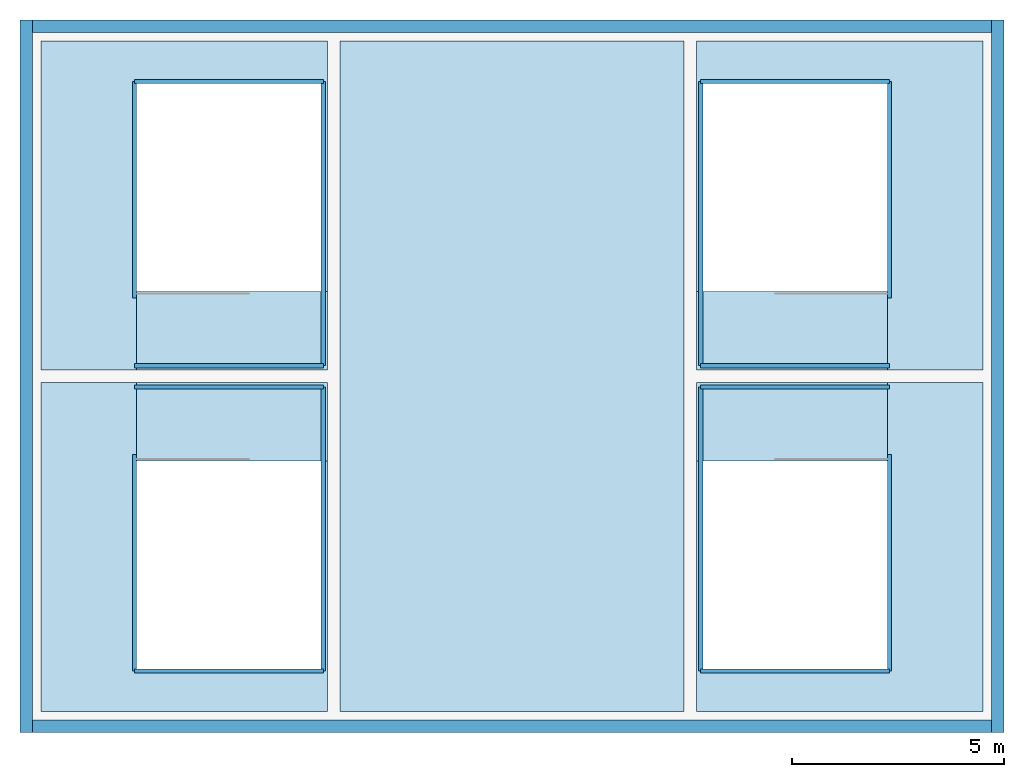
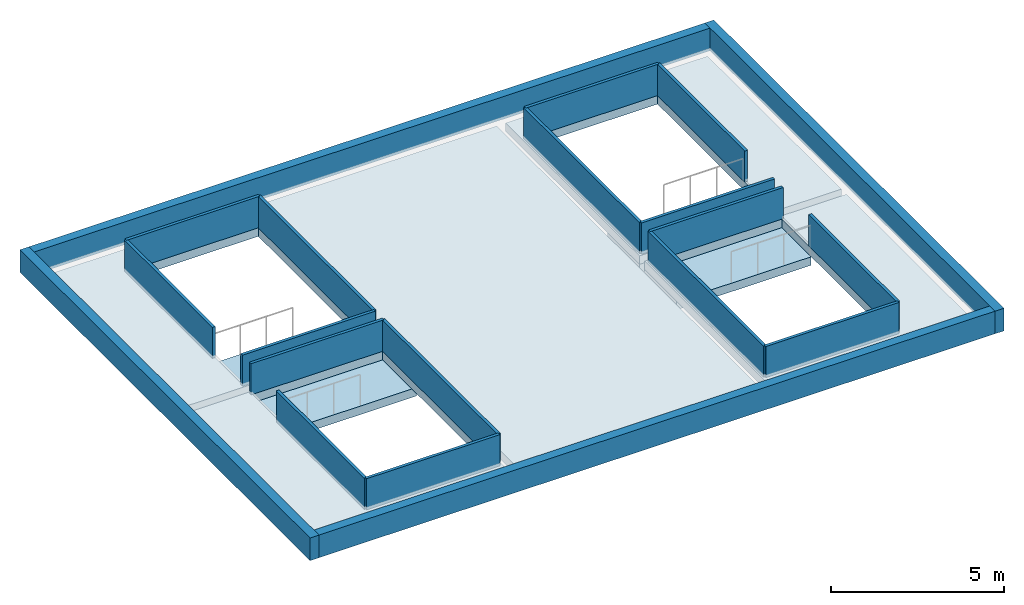
# One storey, part 1 of 2: 20 walls, 9 slabs.
"""IFC4 building model written with IfcOpenShell, lengths in metres."""

import ifcopenshell
import ifcopenshell.guid

model = None  # the IFC model being written
_history = None  # IfcOwnerHistory: only IFC2X3 demands one
_inside = {}  # id of a spatial element -> (the spatial element, [elements in it])
_under = {}  # id of a project, library or spatial element -> (it, [spatial elements below it])
_declared = {}  # id of a project -> (the project, [libraries it declares])
_typed = {}  # id of a type object -> (the type object, [elements of that type])
_made_of = {}  # id of a material, layer set ... -> (it, [elements and type objects made of it])


def new_model(schema):
    """Start an empty IFC model of exactly this schema.

    Asked for "IFC4X3", IfcOpenShell would pick the latest addendum, in which some entities
    have other attributes; the version numbers below select the first issue.
    IFC2X3 requires an IfcOwnerHistory on every rooted entity: one is made here for all.
    """
    global model, _history
    if schema == "IFC4X3":
        model = ifcopenshell.file(schema_version=(4, 3, 0, 0))
    else:
        model = ifcopenshell.file(schema=schema)
    _inside.clear()
    _under.clear()
    _declared.clear()
    _typed.clear()
    _made_of.clear()
    _history = None
    if model.schema == "IFC2X3":
        org = make("IfcOrganization", Name="unknown")
        user = make(
            "IfcPersonAndOrganization",
            ThePerson=make("IfcPerson", FamilyName="unknown"),
            TheOrganization=org,
        )
        app = make(
            "IfcApplication",
            ApplicationDeveloper=org,
            Version="unknown",
            ApplicationFullName="unknown",
            ApplicationIdentifier="unknown",
        )
        _history = make(
            "IfcOwnerHistory",
            OwningUser=user,
            OwningApplication=app,
            ChangeAction="ADDED",
            CreationDate=0,
        )
    return model


def make(cls, **values):
    """One entity of the class cls with the attributes given. An attribute that is None is left unset."""
    return model.create_entity(
        cls, **{name: value for name, value in values.items() if value is not None}
    )


def rooted(cls, **values):
    """An entity with a GlobalId (a new one), such as an element, a storey or a relation."""
    return make(cls, GlobalId=ifcopenshell.guid.new(), OwnerHistory=_history, **values)


def si_unit(unit_type, name, prefix=None):
    """IfcSIUnit, for example si_unit("LENGTHUNIT", "METRE", prefix="MILLI")."""
    return make("IfcSIUnit", UnitType=unit_type, Prefix=prefix, Name=name)


def assignment(units):
    """IfcUnitAssignment: the units of a project."""
    return None if units is None else make("IfcUnitAssignment", Units=units)


def point(xyz):
    """IfcCartesianPoint."""
    return None if xyz is None else make("IfcCartesianPoint", Coordinates=xyz)


def direction(xyz):
    """IfcDirection."""
    return None if xyz is None else make("IfcDirection", DirectionRatios=xyz)


def frame(location, z_axis=None, x_axis=None):
    """IfcAxis2Placement3D, a coordinate frame: its origin and axes. An axis left out is left unset."""
    return make(
        "IfcAxis2Placement3D",
        Location=point(location),
        Axis=direction(z_axis),
        RefDirection=direction(x_axis),
    )


def frame_2d(location, x_axis=None):
    """IfcAxis2Placement2D, a coordinate frame in the plane: its origin and x axis."""
    return make(
        "IfcAxis2Placement2D", Location=point(location), RefDirection=direction(x_axis)
    )


def origin():
    """The frame at (0, 0, 0) with its axes left unset."""
    return frame((0.0, 0.0, 0.0))


def place(relative_to, where):
    """IfcLocalPlacement: puts the frame where relative to a parent placement (None: the world)."""
    return make(
        "IfcLocalPlacement", PlacementRelTo=relative_to, RelativePlacement=where
    )


def context(
    kind, dimensions, precision=None, world=None, true_north=None, identifier=None
):
    """IfcGeometricRepresentationContext, for example the 3D "Model" context."""
    return make(
        "IfcGeometricRepresentationContext",
        ContextIdentifier=identifier,
        ContextType=kind,
        CoordinateSpaceDimension=dimensions,
        Precision=precision,
        WorldCoordinateSystem=world,
        TrueNorth=true_north,
    )


def subcontext(parent, identifier, kind, view, scale=None):
    """IfcGeometricRepresentationSubContext, for example "Body" below "Model"."""
    return make(
        "IfcGeometricRepresentationSubContext",
        ContextIdentifier=identifier,
        ContextType=kind,
        ParentContext=parent,
        TargetScale=scale,
        TargetView=view,
    )


def project(units=None, contexts=None):
    """IfcProject with its units and contexts."""
    return rooted(
        "IfcProject",
        Name="project",
        RepresentationContexts=contexts,
        UnitsInContext=assignment(units),
    )


def spatial(cls, under=None, at=None, **own):
    """A site, building, storey or space (cls), placed at a placement, below another one or the project."""
    s = rooted(cls, ObjectPlacement=at, **own)
    if under is not None:
        _under.setdefault(under.id(), (under, []))[1].append(s)
    return s


def polyline(points):
    """IfcPolyline through the points."""
    return make("IfcPolyline", Points=[point(p) for p in points])


def profile(cls, at=None, kind="AREA", **sizes):
    """A parametric profile (cls). Its sizes go by their IFC names, for example OverallWidth=200.0."""
    return make(cls, ProfileType=kind, Position=at, **sizes)


def rectangle(**sizes):
    """IfcRectangleProfileDef."""
    return profile("IfcRectangleProfileDef", **sizes)


def outline(outer, holes=None, kind="AREA"):
    """IfcArbitraryClosedProfileDef: a profile drawn as a closed curve; with holes, ...WithVoids."""
    if holes is None:
        return make("IfcArbitraryClosedProfileDef", ProfileType=kind, OuterCurve=outer)
    return make(
        "IfcArbitraryProfileDefWithVoids",
        ProfileType=kind,
        OuterCurve=outer,
        InnerCurves=holes,
    )


def extrude(swept, where, along, depth):
    """IfcExtrudedAreaSolid: the profile swept, set in the frame where, extruded along a direction by depth."""
    return make(
        "IfcExtrudedAreaSolid",
        SweptArea=swept,
        Position=where,
        ExtrudedDirection=direction(along),
        Depth=depth,
    )


def shape(context_of_items, identifier, shape_type, items):
    """IfcShapeRepresentation: the items that make up one representation, for example the "Body"."""
    return make(
        "IfcShapeRepresentation",
        ContextOfItems=context_of_items,
        RepresentationIdentifier=identifier,
        RepresentationType=shape_type,
        Items=items,
    )


def material(Name=None, Category=None):
    """IfcMaterial."""
    return make("IfcMaterial", Name=Name, Category=Category)


def layer(
    of_material, thickness, ventilated=None, Name=None, Category=None, Priority=None
):
    """IfcMaterialLayer: one layer of a wall or slab, of a material (None: an air gap)."""
    return make(
        "IfcMaterialLayer",
        Material=of_material,
        LayerThickness=thickness,
        IsVentilated=ventilated,
        Name=Name,
        Category=Category,
        Priority=Priority,
    )


def layer_set(layers, Name=None):
    """IfcMaterialLayerSet."""
    return make("IfcMaterialLayerSet", MaterialLayers=layers, LayerSetName=Name)


def made_of(thing, what):
    """Note that an element or type object is made of a material, layer set ...; save() writes the relation."""
    if what is not None:
        _made_of.setdefault(what.id(), (what, []))[1].append(thing)
    return thing


def type_object(cls, material=None, **own):
    """A type object (cls), such as IfcWallType, which elements share."""
    return made_of(rooted(cls, **own), material)


def element(
    cls,
    number,
    at=None,
    inside=None,
    cuts=None,
    type_object=None,
    material=None,
    context=None,
    identifier="Body",
    shape_type=None,
    held_by="IfcProductDefinitionShape",
    body=None,
    shapes=None,
    **own,
):
    """One element of the class cls, such as IfcWall. Its Tag is "e" and its number.

    at: its placement. inside: the storey or other place that contains it. cuts: it is an
    opening in that element (IfcRelVoidsElement). A single representation is given by context,
    identifier, shape_type and body (its items); several are given by shapes. held_by: the class
    of the entity that holds the representations. save() writes the other relations.
    """
    e = rooted(cls, Tag="e%d" % number, ObjectPlacement=at, **own)
    if body is not None:
        shapes = [shape(context, identifier, shape_type, body)]
    if shapes is not None:
        e.Representation = make(held_by, Representations=shapes)
    if inside is not None:
        _inside.setdefault(inside.id(), (inside, []))[1].append(e)
    if cuts is not None:
        rooted(
            "IfcRelVoidsElement", RelatingBuildingElement=cuts, RelatedOpeningElement=e
        )
    if type_object is not None:
        _typed.setdefault(type_object.id(), (type_object, []))[1].append(e)
    return made_of(e, material)


def aggregate(whole, parts):
    """IfcRelAggregates: a whole, such as a stair, and the parts it consists of."""
    return rooted("IfcRelAggregates", RelatingObject=whole, RelatedObjects=parts)


def save(model, path):
    """Write the relations noted so far, then the file.

    IfcRelAggregates (storeys below a building ...), IfcRelContainedInSpatialStructure (elements
    in a storey), IfcRelDefinesByType, IfcRelAssociatesMaterial and IfcRelDeclares: one each for
    every whole, place, type object, material and project.
    """
    for whole, parts in _under.values():
        aggregate(whole, parts)
    for where, things in _inside.values():
        rooted(
            "IfcRelContainedInSpatialStructure",
            RelatedElements=things,
            RelatingStructure=where,
        )
    for kind, things in _typed.values():
        rooted("IfcRelDefinesByType", RelatedObjects=things, RelatingType=kind)
    for what, things in _made_of.values():
        rooted("IfcRelAssociatesMaterial", RelatedObjects=things, RelatingMaterial=what)
    for by, libraries in _declared.values():
        rooted("IfcRelDeclares", RelatingContext=by, RelatedDefinitions=libraries)
    model.write(path)


model = new_model("IFC4")

# Units and contexts
model_context = context("Model", 3, precision=1e-05, world=origin(), true_north=direction((0.0, 1.0)))
body_context = subcontext(model_context, "Body", "Model", "MODEL_VIEW")
ifc_project = project(units=[si_unit("LENGTHUNIT", "METRE"), si_unit("AREAUNIT", "SQUARE_METRE"), si_unit("VOLUMEUNIT", "CUBIC_METRE"), si_unit("PLANEANGLEUNIT", "RADIAN"), si_unit("MASSUNIT", "GRAM", prefix="KILO")], contexts=[model_context])

# Site, building, storey
site_placement = place(None, origin())
site = spatial("IfcSite", under=ifc_project, at=site_placement, CompositionType="ELEMENT")
building_placement = place(site_placement, origin())
building = spatial("IfcBuilding", under=site, at=building_placement, Name="Marenta Gate Hotel Tower", CompositionType="ELEMENT")
storey_placement = place(building_placement, frame((0.0, 0.0, 309.39990234375)))
storey = spatial("IfcBuildingStorey", under=building, at=storey_placement, Name="ROOF", CompositionType="ELEMENT", Elevation=309.39990234375)

# Slabs
ifc_material_1 = material(Name="Concrete C40", Category="concrete")
ifc_layer_1 = layer(ifc_material_1, 0.300048828125)
ifc_layer_set_1 = layer_set([ifc_layer_1], Name="Concrete C40")
slab_type_1 = type_object("IfcSlabType", Name="Core roof slab 300", PredefinedType="ROOF", material=ifc_layer_set_1)
slab_1_placement = place(storey_placement, origin())
element("IfcSlab", 1, at=slab_1_placement, inside=storey, type_object=slab_type_1, Name="L67-CR-1", PredefinedType="ROOF", context=body_context, shape_type="SweptSolid", body=[
    extrude(outline(polyline([(4.35009765625, 0.5), (4.35009765625, 8.25), (11.10009765625, 8.25), (11.10009765625, 0.5), (4.35009765625, 0.5)]), holes=[polyline([(8.85009765625, 8.10009765625), (4.5, 8.10009765625), (4.5, 1.5), (8.85009765625, 1.5), (8.85009765625, 8.10009765625)])]), origin(), (0.0, 0.0, 1.0), 0.300048828125),
])
slab_2_placement = place(storey_placement, origin())
element("IfcSlab", 2, at=slab_2_placement, inside=storey, type_object=slab_type_1, Name="L67-CR-2", PredefinedType="ROOF", context=body_context, shape_type="SweptSolid", body=[
    extrude(outline(polyline([(4.35009765625, 8.550048828125), (4.35009765625, 16.300048828125), (11.10009765625, 16.300048828125), (11.10009765625, 8.550048828125), (4.35009765625, 8.550048828125)]), holes=[polyline([(8.85009765625, 15.300048828125), (4.5, 15.300048828125), (4.5, 8.699951171875), (8.85009765625, 8.699951171875), (8.85009765625, 15.300048828125)])]), origin(), (0.0, 0.0, 1.0), 0.300048828125),
])
slab_3_placement = place(storey_placement, origin())
element("IfcSlab", 3, at=slab_3_placement, inside=storey, type_object=slab_type_1, Name="L67-CR-3", PredefinedType="ROOF", context=body_context, shape_type="SweptSolid", body=[
    extrude(outline(polyline([(4.050048828125, 16.300048828125), (4.050048828125, 0.5), (-4.050048828125, 0.5), (-4.050048828125, 16.300048828125), (4.050048828125, 16.300048828125)])), origin(), (0.0, 0.0, 1.0), 0.300048828125),
])
slab_4_placement = place(storey_placement, origin())
element("IfcSlab", 4, at=slab_4_placement, inside=storey, type_object=slab_type_1, Name="L67-CR-4", PredefinedType="ROOF", context=body_context, shape_type="SweptSolid", body=[
    extrude(outline(polyline([(-4.35009765625, 8.550048828125), (-11.10009765625, 8.550048828125), (-11.10009765625, 16.300048828125), (-4.35009765625, 16.300048828125), (-4.35009765625, 8.550048828125)]), holes=[polyline([(-4.5, 15.300048828125), (-8.85009765625, 15.300048828125), (-8.85009765625, 8.699951171875), (-4.5, 8.699951171875), (-4.5, 15.300048828125)])]), origin(), (0.0, 0.0, 1.0), 0.300048828125),
])
slab_5_placement = place(storey_placement, origin())
element("IfcSlab", 5, at=slab_5_placement, inside=storey, type_object=slab_type_1, Name="L67-CR-5", PredefinedType="ROOF", context=body_context, shape_type="SweptSolid", body=[
    extrude(outline(polyline([(-4.35009765625, 8.25), (-4.35009765625, 0.5), (-11.10009765625, 0.5), (-11.10009765625, 8.25), (-4.35009765625, 8.25)]), holes=[polyline([(-4.5, 8.10009765625), (-8.85009765625, 8.10009765625), (-8.85009765625, 1.5), (-4.5, 1.5), (-4.5, 8.10009765625)])]), origin(), (0.0, 0.0, 1.0), 0.300048828125),
])
ifc_material_2 = material(Name="Concrete C40", Category="concrete")
ifc_layer_2 = layer(ifc_material_2, 0.300048828125)
ifc_layer_set_2 = layer_set([ifc_layer_2], Name="Concrete C40")
slab_type_2 = type_object("IfcSlabType", Name="Stair landing slab 300", PredefinedType="LANDING", material=ifc_layer_set_2)
slab_6_placement = place(storey_placement, frame((0.0, 0.0, -0.2998046875)))
element("IfcSlab", 6, at=slab_6_placement, inside=storey, type_object=slab_type_2, Name="ROOF-RL-ST1", PredefinedType="LANDING", context=body_context, shape_type="SweptSolid", body=[
    extrude(outline(polyline([(-4.35009765625, 6.39990234375), (-8.85009765625, 6.39990234375), (-8.85009765625, 8.10009765625), (-8.85009765625, 8.25), (-4.35009765625, 8.25), (-4.35009765625, 6.39990234375)])), origin(), (0.0, 0.0, 1.0), 0.2998046875),
])
slab_7_placement = place(storey_placement, frame((0.0, 0.0, -0.2998046875)))
element("IfcSlab", 7, at=slab_7_placement, inside=storey, type_object=slab_type_2, Name="ROOF-RL-ST2", PredefinedType="LANDING", context=body_context, shape_type="SweptSolid", body=[
    extrude(outline(polyline([(-4.35009765625, 8.550048828125), (-8.85009765625, 8.550048828125), (-8.85009765625, 8.699951171875), (-8.85009765625, 10.39990234375), (-4.35009765625, 10.39990234375), (-4.35009765625, 8.550048828125)])), origin(), (0.0, 0.0, 1.0), 0.2998046875),
])
slab_8_placement = place(storey_placement, frame((0.0, 0.0, -0.2998046875)))
element("IfcSlab", 8, at=slab_8_placement, inside=storey, type_object=slab_type_2, Name="ROOF-RL-ST3", PredefinedType="LANDING", context=body_context, shape_type="SweptSolid", body=[
    extrude(outline(polyline([(4.35009765625, 6.39990234375), (4.35009765625, 8.25), (8.85009765625, 8.25), (8.85009765625, 8.10009765625), (8.85009765625, 6.39990234375), (4.35009765625, 6.39990234375)])), origin(), (0.0, 0.0, 1.0), 0.2998046875),
])
slab_9_placement = place(storey_placement, frame((0.0, 0.0, -0.2998046875)))
element("IfcSlab", 9, at=slab_9_placement, inside=storey, type_object=slab_type_2, Name="ROOF-RL-ST4", PredefinedType="LANDING", context=body_context, shape_type="SweptSolid", body=[
    extrude(outline(polyline([(4.35009765625, 8.550048828125), (4.35009765625, 10.39990234375), (8.85009765625, 10.39990234375), (8.85009765625, 8.699951171875), (8.85009765625, 8.550048828125), (4.35009765625, 8.550048828125)])), origin(), (0.0, 0.0, 1.0), 0.2998046875),
])

# Walls
ifc_material_3 = material(Name="Concrete C40 board-marked", Category="concrete")
ifc_layer_3 = layer(ifc_material_3, 0.300048828125)
ifc_layer_set_3 = layer_set([ifc_layer_3], Name="Concrete C40 board-marked")
wall_type_1 = type_object("IfcWallType", Name="Parapet 300 mm board-marked concrete", PredefinedType="PARAPET", material=ifc_layer_set_3)
for number, where, z_axis, x_axis, name in (
    (10, (11.449951171875, 0.0, 0.300048828125), (0.0, 0.0, 1.0), (0.0, 1.0, 0.0), "L67-CRP-E"),
    (11, (-11.449951171875, 0.0, 0.300048828125), (0.0, 0.0, 1.0), (0.0, 1.0, 0.0), "L67-CRP-W"),
):
    element("IfcWall", number, at=place(storey_placement, frame(where, z_axis=z_axis, x_axis=x_axis)), inside=storey, type_object=wall_type_1, Name=name, PredefinedType="PARAPET", context=body_context, shape_type="SweptSolid", body=[
        extrude(rectangle(XDim=16.800048828125, YDim=0.300048828125, at=frame_2d((8.39990234375, 0.0))), origin(), (0.0, 0.0, 1.0), 0.800048828125),
    ])
for number, where, z_axis, x_axis, name in (
    (12, (-11.300048828125, 0.14990234375, 0.300048828125), (0.0, 0.0, 1.0), (1.0, 0.0, 0.0), "L67-CRP-S"),
    (13, (-11.300048828125, 16.64990234375, 0.300048828125), (0.0, 0.0, 1.0), (1.0, 0.0, 0.0), "L67-CRP-N"),
):
    element("IfcWall", number, at=place(storey_placement, frame(where, z_axis=z_axis, x_axis=x_axis)), inside=storey, type_object=wall_type_1, Name=name, PredefinedType="PARAPET", context=body_context, shape_type="SweptSolid", body=[
        extrude(rectangle(XDim=22.60009765625, YDim=0.300048828125, at=frame_2d((11.300048828125, 0.0))), origin(), (0.0, 0.0, 1.0), 0.800048828125),
    ])
ifc_material_4 = material(Name="Concrete C40 board-marked", Category="concrete")
ifc_layer_4 = layer(ifc_material_4, 0.10009765625)
ifc_layer_set_4 = layer_set([ifc_layer_4], Name="Concrete C40 board-marked")
wall_type_2 = type_object("IfcWallType", Name="Stair head upstand 100 mm concrete", PredefinedType="PARAPET", material=ifc_layer_set_4)
wall_1_placement = place(storey_placement, frame((-8.89990234375, 1.449951171875, 0.300048828125), z_axis=(0.0, 0.0, 1.0), x_axis=(1.0, 0.0, 0.0)))
element("IfcWall", 14, at=wall_1_placement, inside=storey, type_object=wall_type_2, Name="ROOF-RU-ST1-1", PredefinedType="PARAPET", context=body_context, shape_type="SweptSolid", body=[
    extrude(rectangle(XDim=4.449951171875, YDim=0.10009765625, at=frame_2d((2.22509765625, 0.0))), origin(), (0.0, 0.0, 1.0), 1.10009765625),
])
wall_2_placement = place(storey_placement, frame((-4.449951171875, 1.449951171875, 0.300048828125), z_axis=(0.0, 0.0, 1.0), x_axis=(0.0, 1.0, 0.0)))
element("IfcWall", 15, at=wall_2_placement, inside=storey, type_object=wall_type_2, Name="ROOF-RU-ST1-2", PredefinedType="PARAPET", context=body_context, shape_type="SweptSolid", body=[
    extrude(rectangle(XDim=6.699951171875, YDim=0.10009765625, at=frame_2d((3.35009765625, 0.0))), origin(), (0.0, 0.0, 1.0), 1.10009765625),
])
wall_3_placement = place(storey_placement, frame((-4.449951171875, 8.14990234375, 0.300048828125), z_axis=(0.0, 0.0, 1.0), x_axis=(-1.0, 0.0, 0.0)))
element("IfcWall", 16, at=wall_3_placement, inside=storey, type_object=wall_type_2, Name="ROOF-RU-ST1-3", PredefinedType="PARAPET", context=body_context, shape_type="SweptSolid", body=[
    extrude(rectangle(XDim=4.449951171875, YDim=0.10009765625, at=frame_2d((2.22509765625, 0.0))), origin(), (0.0, 0.0, 1.0), 1.10009765625),
])
wall_4_placement = place(storey_placement, frame((-8.89990234375, 1.449951171875, 0.300048828125), z_axis=(0.0, 0.0, 1.0), x_axis=(0.0, 1.0, 0.0)))
element("IfcWall", 17, at=wall_4_placement, inside=storey, type_object=wall_type_2, Name="ROOF-RU-ST1-4", PredefinedType="PARAPET", context=body_context, shape_type="SweptSolid", body=[
    extrude(rectangle(XDim=5.10009765625, YDim=0.10009765625, at=frame_2d((2.550048828125, 0.0))), origin(), (0.0, 0.0, 1.0), 1.10009765625),
])
wall_5_placement = place(storey_placement, frame((-8.89990234375, 8.64990234375, 0.300048828125), z_axis=(0.0, 0.0, 1.0), x_axis=(1.0, 0.0, 0.0)))
element("IfcWall", 18, at=wall_5_placement, inside=storey, type_object=wall_type_2, Name="ROOF-RU-ST2-1", PredefinedType="PARAPET", context=body_context, shape_type="SweptSolid", body=[
    extrude(rectangle(XDim=4.449951171875, YDim=0.10009765625, at=frame_2d((2.22509765625, 0.0))), origin(), (0.0, 0.0, 1.0), 1.10009765625),
])
wall_6_placement = place(storey_placement, frame((-4.449951171875, 8.64990234375, 0.300048828125), z_axis=(0.0, 0.0, 1.0), x_axis=(0.0, 1.0, 0.0)))
element("IfcWall", 19, at=wall_6_placement, inside=storey, type_object=wall_type_2, Name="ROOF-RU-ST2-2", PredefinedType="PARAPET", context=body_context, shape_type="SweptSolid", body=[
    extrude(rectangle(XDim=6.7001953125, YDim=0.10009765625, at=frame_2d((3.35009765625, 0.0))), origin(), (0.0, 0.0, 1.0), 1.10009765625),
])
wall_7_placement = place(storey_placement, frame((-4.449951171875, 15.35009765625, 0.300048828125), z_axis=(0.0, 0.0, 1.0), x_axis=(-1.0, 0.0, 0.0)))
element("IfcWall", 20, at=wall_7_placement, inside=storey, type_object=wall_type_2, Name="ROOF-RU-ST2-3", PredefinedType="PARAPET", context=body_context, shape_type="SweptSolid", body=[
    extrude(rectangle(XDim=4.449951171875, YDim=0.10009765625, at=frame_2d((2.22509765625, 0.0))), origin(), (0.0, 0.0, 1.0), 1.10009765625),
])
wall_8_placement = place(storey_placement, frame((-8.89990234375, 10.25, 0.300048828125), z_axis=(0.0, 0.0, 1.0), x_axis=(0.0, 1.0, 0.0)))
element("IfcWall", 21, at=wall_8_placement, inside=storey, type_object=wall_type_2, Name="ROOF-RU-ST2-4", PredefinedType="PARAPET", context=body_context, shape_type="SweptSolid", body=[
    extrude(rectangle(XDim=5.10009765625, YDim=0.10009765625, at=frame_2d((2.550048828125, 0.0))), origin(), (0.0, 0.0, 1.0), 1.10009765625),
])
wall_9_placement = place(storey_placement, frame((4.449951171875, 1.449951171875, 0.300048828125), z_axis=(0.0, 0.0, 1.0), x_axis=(1.0, 0.0, 0.0)))
element("IfcWall", 22, at=wall_9_placement, inside=storey, type_object=wall_type_2, Name="ROOF-RU-ST3-1", PredefinedType="PARAPET", context=body_context, shape_type="SweptSolid", body=[
    extrude(rectangle(XDim=4.449951171875, YDim=0.10009765625, at=frame_2d((2.22509765625, 0.0))), origin(), (0.0, 0.0, 1.0), 1.10009765625),
])
wall_10_placement = place(storey_placement, frame((8.89990234375, 1.449951171875, 0.300048828125), z_axis=(0.0, 0.0, 1.0), x_axis=(0.0, 1.0, 0.0)))
element("IfcWall", 23, at=wall_10_placement, inside=storey, type_object=wall_type_2, Name="ROOF-RU-ST3-2", PredefinedType="PARAPET", context=body_context, shape_type="SweptSolid", body=[
    extrude(rectangle(XDim=5.10009765625, YDim=0.10009765625, at=frame_2d((2.550048828125, 0.0))), origin(), (0.0, 0.0, 1.0), 1.10009765625),
])
wall_11_placement = place(storey_placement, frame((8.89990234375, 8.14990234375, 0.300048828125), z_axis=(0.0, 0.0, 1.0), x_axis=(-1.0, 0.0, 0.0)))
element("IfcWall", 24, at=wall_11_placement, inside=storey, type_object=wall_type_2, Name="ROOF-RU-ST3-3", PredefinedType="PARAPET", context=body_context, shape_type="SweptSolid", body=[
    extrude(rectangle(XDim=4.449951171875, YDim=0.10009765625, at=frame_2d((2.22509765625, 0.0))), origin(), (0.0, 0.0, 1.0), 1.10009765625),
])
wall_12_placement = place(storey_placement, frame((4.449951171875, 8.14990234375, 0.300048828125), z_axis=(0.0, 0.0, 1.0), x_axis=(0.0, -1.0, 0.0)))
element("IfcWall", 25, at=wall_12_placement, inside=storey, type_object=wall_type_2, Name="ROOF-RU-ST3-4", PredefinedType="PARAPET", context=body_context, shape_type="SweptSolid", body=[
    extrude(rectangle(XDim=6.699951171875, YDim=0.10009765625, at=frame_2d((3.35009765625, 0.0))), origin(), (0.0, 0.0, 1.0), 1.10009765625),
])
wall_13_placement = place(storey_placement, frame((4.449951171875, 8.64990234375, 0.300048828125), z_axis=(0.0, 0.0, 1.0), x_axis=(1.0, 0.0, 0.0)))
element("IfcWall", 26, at=wall_13_placement, inside=storey, type_object=wall_type_2, Name="ROOF-RU-ST4-1", PredefinedType="PARAPET", context=body_context, shape_type="SweptSolid", body=[
    extrude(rectangle(XDim=4.449951171875, YDim=0.10009765625, at=frame_2d((2.22509765625, 0.0))), origin(), (0.0, 0.0, 1.0), 1.10009765625),
])
wall_14_placement = place(storey_placement, frame((8.89990234375, 10.25, 0.300048828125), z_axis=(0.0, 0.0, 1.0), x_axis=(0.0, 1.0, 0.0)))
element("IfcWall", 27, at=wall_14_placement, inside=storey, type_object=wall_type_2, Name="ROOF-RU-ST4-2", PredefinedType="PARAPET", context=body_context, shape_type="SweptSolid", body=[
    extrude(rectangle(XDim=5.10009765625, YDim=0.10009765625, at=frame_2d((2.550048828125, 0.0))), origin(), (0.0, 0.0, 1.0), 1.10009765625),
])
wall_15_placement = place(storey_placement, frame((8.89990234375, 15.35009765625, 0.300048828125), z_axis=(0.0, 0.0, 1.0), x_axis=(-1.0, 0.0, 0.0)))
element("IfcWall", 28, at=wall_15_placement, inside=storey, type_object=wall_type_2, Name="ROOF-RU-ST4-3", PredefinedType="PARAPET", context=body_context, shape_type="SweptSolid", body=[
    extrude(rectangle(XDim=4.449951171875, YDim=0.10009765625, at=frame_2d((2.22509765625, 0.0))), origin(), (0.0, 0.0, 1.0), 1.10009765625),
])
wall_16_placement = place(storey_placement, frame((4.449951171875, 15.35009765625, 0.300048828125), z_axis=(0.0, 0.0, 1.0), x_axis=(0.0, -1.0, 0.0)))
element("IfcWall", 29, at=wall_16_placement, inside=storey, type_object=wall_type_2, Name="ROOF-RU-ST4-4", PredefinedType="PARAPET", context=body_context, shape_type="SweptSolid", body=[
    extrude(rectangle(XDim=6.7001953125, YDim=0.10009765625, at=frame_2d((3.35009765625, 0.0))), origin(), (0.0, 0.0, 1.0), 1.10009765625),
])

save(model, "model.ifc")
